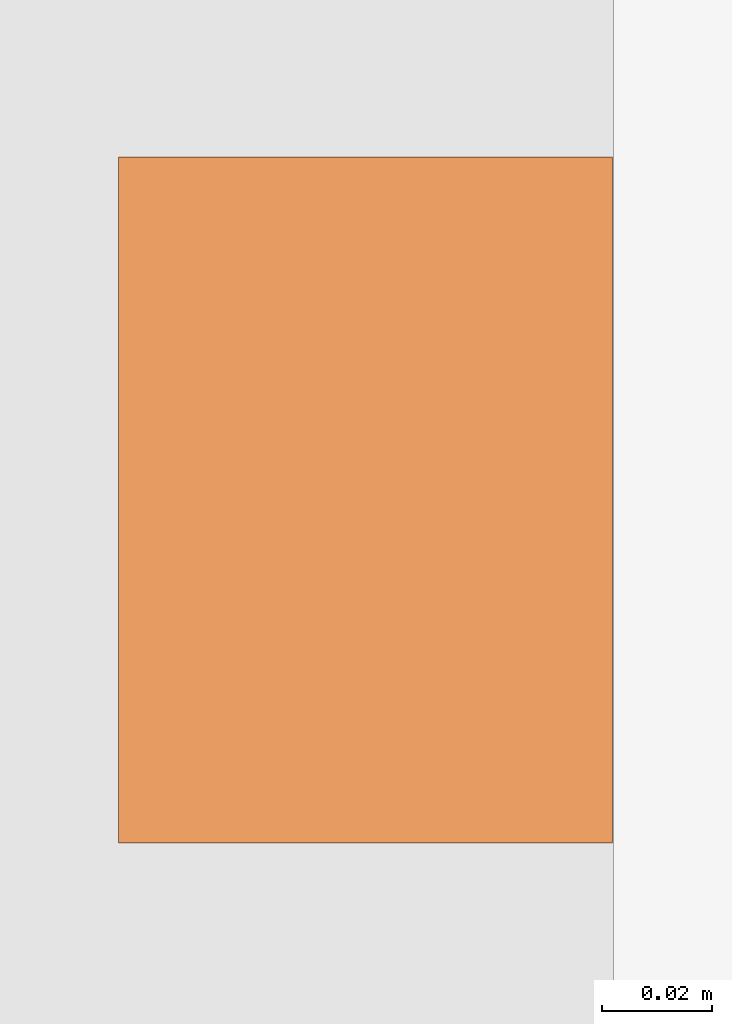
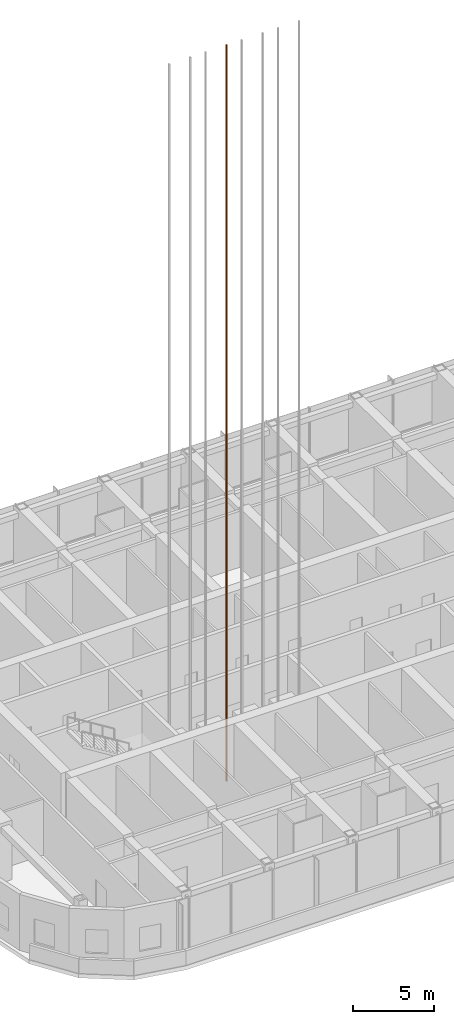
# One storey, part 31 of 35: 1 proxy.
"""IFC4 building model written with IfcOpenShell, lengths in metres."""

from ifc_helpers import new_model, si_unit, direction, frame, origin, origin_2d, place, context, subcontext, project, spatial, rectangle, extrude, material, element, save


model = new_model("IFC4")

# Units and contexts
model_context = context("Model", 3, precision=1e-05, world=origin(), true_north=direction((0.0, 1.0)))
body_context = subcontext(model_context, "Body", "Model", "MODEL_VIEW")
ifc_project = project(units=[si_unit("LENGTHUNIT", "METRE"), si_unit("AREAUNIT", "SQUARE_METRE"), si_unit("VOLUMEUNIT", "CUBIC_METRE"), si_unit("PLANEANGLEUNIT", "RADIAN"), si_unit("MASSUNIT", "GRAM", prefix="KILO")], contexts=[model_context])

# Site, building, storey
site_placement = place(None, origin())
site = spatial("IfcSite", under=ifc_project, at=site_placement, CompositionType="ELEMENT")
building_placement = place(site_placement, origin())
building = spatial("IfcBuilding", under=site, at=building_placement, Name="Orbita Commons", CompositionType="ELEMENT")
storey_placement = place(building_placement, frame((0.0, 0.0, 208.300048828125)))
storey = spatial("IfcBuildingStorey", under=building, at=storey_placement, Name="L51", CompositionType="ELEMENT", Elevation=208.300048828125)

# Proxy
ifc_material = material(Name="Machined steel guide rail", Category="steel")
placement = place(storey_placement, frame((29.89990234375, 28.10009765625, 0.0), z_axis=(0.0, 0.0, 1.0), x_axis=(1.0, 0.0, 0.0)))
proxy_placement = place(placement, frame((0.7548828125, 0.0, -1.800048828125)))
element("IfcBuildingElementProxy", 1, at=proxy_placement, inside=storey, material=ifc_material, Name="P42 guide rail 2", ObjectType="GUIDE RAIL", PredefinedType="USERDEFINED", context=body_context, shape_type="SweptSolid", body=[
    extrude(rectangle(XDim=0.09, YDim=0.125, at=origin_2d()), origin(), (0.0, 0.0, 1.0), 55.800048828125),
])

save(model, "model.ifc")
